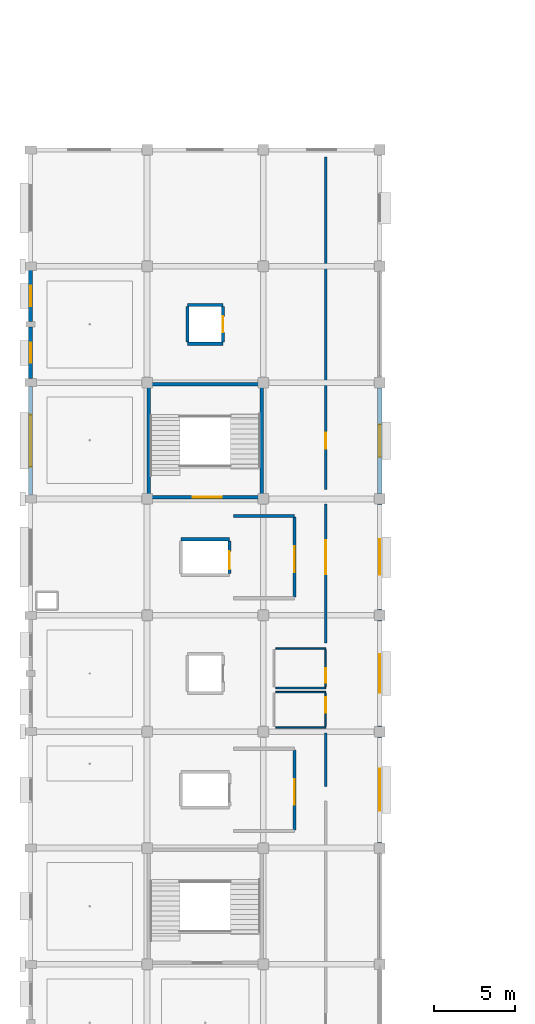
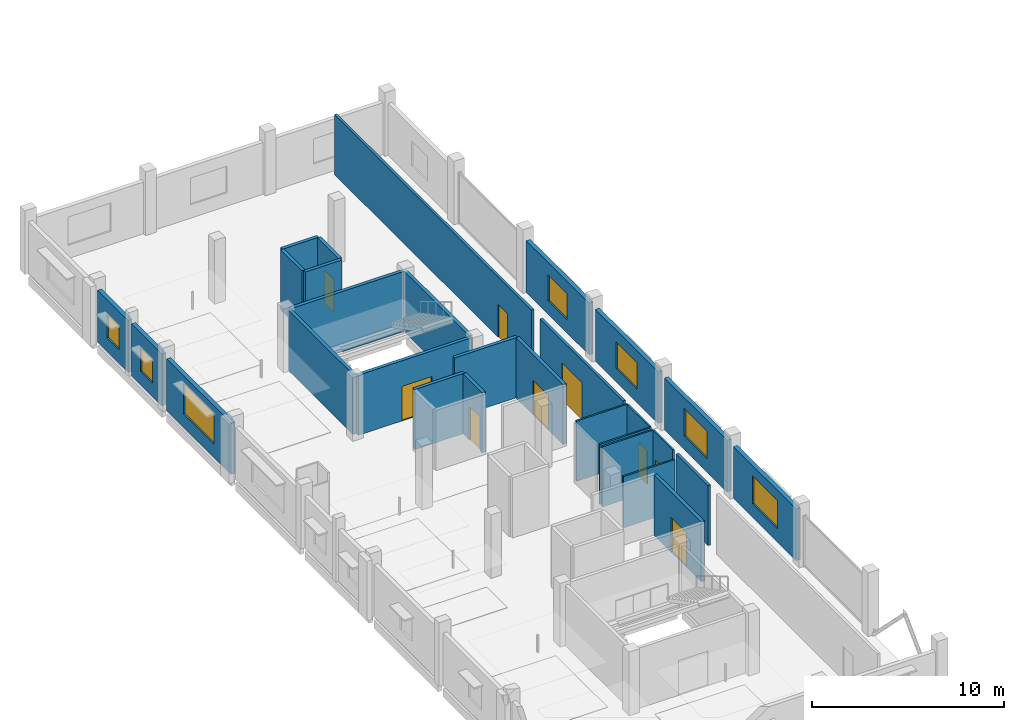
# One storey, part 40 of 59: 29 walls, 9 doors, 7 windows, 16 openings.
"""IFC4 building model written with IfcOpenShell, lengths in metres."""

from ifc_helpers import new_model, si_unit, direction, frame, frame_2d, origin, place, context, subcontext, project, spatial, rectangle, extrude, material, layer, layer_set, type_object, element, fill, save


model = new_model("IFC4")

# Units and contexts
model_context = context("Model", 3, precision=1e-05, world=origin(), true_north=direction((0.0, 1.0)))
body_context = subcontext(model_context, "Body", "Model", "MODEL_VIEW")
ifc_project = project(units=[si_unit("LENGTHUNIT", "METRE"), si_unit("AREAUNIT", "SQUARE_METRE"), si_unit("VOLUMEUNIT", "CUBIC_METRE"), si_unit("PLANEANGLEUNIT", "RADIAN"), si_unit("MASSUNIT", "GRAM", prefix="KILO")], contexts=[model_context])

# Site, building, storey
site_placement = place(None, origin())
site = spatial("IfcSite", under=ifc_project, at=site_placement, CompositionType="ELEMENT")
building_placement = place(site_placement, origin())
building = spatial("IfcBuilding", under=site, at=building_placement, Name="Kangsadwip Square Police Headquarters", CompositionType="ELEMENT")
storey_placement = place(building_placement, frame((0.0, 0.0, 21.60009765625)))
storey = spatial("IfcBuildingStorey", under=building, at=storey_placement, Name="L05", CompositionType="ELEMENT", Elevation=21.60009765625)

# Wall, opening, door
ifc_material_1 = material(Name="Autoclaved aerated concrete blockwork masonry", Category="masonry")
ifc_layer_1 = layer(ifc_material_1, 0.14990234375)
ifc_layer_set_1 = layer_set([ifc_layer_1], Name="Autoclaved aerated concrete blockwork masonry")
wall_type_1 = type_object("IfcWallType", Name="BlockPartition150", PredefinedType="PARTITIONING", material=ifc_layer_set_1)
wall_1_placement = place(storey_placement, frame((18.25, 63.080078125, 0.0), z_axis=(0.0, 0.0, 1.0), x_axis=(0.0, 1.0, 0.0)))
wall_1 = element("IfcWall", 1, at=wall_1_placement, inside=storey, type_object=wall_type_1, Name="Interior Wall WI-L05-0893", PredefinedType="PARTITIONING", context=body_context, shape_type="SweptSolid", body=[
    extrude(rectangle(XDim=8.619873046875, YDim=0.14990234375, at=frame_2d((4.31005859375, 0.0))), origin(), (0.0, 0.0, 1.0), 3.829833984375),
])
opening_1_placement = place(wall_1_placement, frame((4.262939453125, 0.0, 0.0)))
opening_1 = element("IfcOpeningElement", 2, at=opening_1_placement, cuts=wall_1, Name="Opening ID-21", PredefinedType="OPENING", context=body_context, shape_type="SweptSolid", body=[
    extrude(rectangle(XDim=2.10009765625, YDim=2.39990234375, at=frame_2d((1.050048828125, 1.199951171875))), frame((0.0, 0.0849609375, 0.0), z_axis=(0.0, -1.0, 0.0), x_axis=(1.0, 0.0, 0.0)), (0.0, 0.0, 1.0), 0.169921875),
])
ifc_material_2 = material(Name="Solid-core seasoned teak hardwood architectural door", Category="wood")
door_type_1 = type_object("IfcDoorType", Name="HallDoubleDoor2100x2400", OperationType="DOUBLE_DOOR_SINGLE_SWING", PredefinedType="DOOR", material=ifc_material_2)
door_1_placement = place(opening_1_placement, origin())
door_1 = element("IfcDoor", 3, at=door_1_placement, inside=storey, type_object=door_type_1, Name="Interior Door ID-L05-0247", OperationType="DOUBLE_DOOR_SINGLE_SWING", OverallHeight=2.39990234375, OverallWidth=2.10009765625, PredefinedType="DOOR", context=body_context, shape_type="SweptSolid", body=[
    extrude(rectangle(XDim=2.10009765625, YDim=2.39990234375, at=frame_2d((1.050048828125, 1.199951171875))), frame((0.0, 0.02490234375, 0.0), z_axis=(0.0, -1.0, 0.0), x_axis=(1.0, 0.0, 0.0)), (0.0, 0.0, 1.0), 0.050048828125),
])
fill(opening_1, door_1)

# Wall
wall_2_placement = place(storey_placement, frame((18.25, 54.199951171875, 0.0), z_axis=(0.0, 0.0, 1.0), x_axis=(0.0, 1.0, 0.0)))
element("IfcWall", 4, at=wall_2_placement, inside=storey, type_object=wall_type_1, Name="Interior Wall WI-L05-0894", PredefinedType="PARTITIONING", context=body_context, shape_type="SweptSolid", body=[
    extrude(rectangle(XDim=3.320068359375, YDim=0.14990234375, at=frame_2d((1.66015625, 0.0))), origin(), (0.0, 0.0, 1.0), 3.829833984375),
])

# Wall, opening, door
wall_3_placement = place(storey_placement, frame((18.25, 72.60009765625, 0.0), z_axis=(0.0, 0.0, 1.0), x_axis=(0.0, 1.0, 0.0)))
wall_3 = element("IfcWall", 5, at=wall_3_placement, inside=storey, type_object=wall_type_1, Name="Interior Wall WI-L05-0895", PredefinedType="PARTITIONING", context=body_context, shape_type="SweptSolid", body=[
    extrude(rectangle(XDim=20.5498046875, YDim=0.14990234375, at=frame_2d((10.27490234375, 0.0))), origin(), (0.0, 0.0, 1.0), 3.829833984375),
])
opening_2_placement = place(wall_3_placement, frame((2.508056640625, 0.0, 0.0)))
opening_2 = element("IfcOpeningElement", 6, at=opening_2_placement, cuts=wall_3, Name="Opening ID-09A", PredefinedType="OPENING", context=body_context, shape_type="SweptSolid", body=[
    extrude(rectangle(XDim=0.97998046875, YDim=2.10009765625, at=frame_2d((0.489990234375, 1.050048828125))), frame((0.0, 0.0849609375, 0.0), z_axis=(0.0, -1.0, 0.0), x_axis=(1.0, 0.0, 0.0)), (0.0, 0.0, 1.0), 0.169921875),
])
ifc_material_3 = material(Name="Solid-core seasoned teak hardwood architectural door", Category="wood")
door_type_2 = type_object("IfcDoorType", Name="OfficeDoor980x2100", OperationType="NOTDEFINED", PredefinedType="DOOR", material=ifc_material_3)
door_2_placement = place(opening_2_placement, origin())
door_2 = element("IfcDoor", 7, at=door_2_placement, inside=storey, type_object=door_type_2, Name="Interior Door ID-L05-0248", OperationType="SINGLE_SWING_RIGHT", OverallHeight=2.10009765625, OverallWidth=0.97998046875, PredefinedType="DOOR", context=body_context, shape_type="SweptSolid", body=[
    extrude(rectangle(XDim=0.97998046875, YDim=2.10009765625, at=frame_2d((0.489990234375, 1.050048828125))), frame((0.0, 0.02490234375, 0.0), z_axis=(0.0, -1.0, 0.0), x_axis=(1.0, 0.0, 0.0)), (0.0, 0.0, 1.0), 0.050048828125),
])
fill(opening_2, door_2)

# Wall, opening, window
ifc_material_4 = material(Name="Glazed architectural terracotta masonry rainscreen", Category="masonry")
ifc_layer_2 = layer(ifc_material_4, 0.25)
ifc_layer_set_2 = layer_set([ifc_layer_2], Name="Glazed architectural terracotta masonry rainscreen")
wall_type_2 = type_object("IfcWallType", Name="ChicagoTerracottaWall250", PredefinedType="SOLIDWALL", material=ifc_layer_set_2)
wall_4_placement = place(storey_placement, frame((0.0, 72.2451171875, 0.0), z_axis=(0.0, 0.0, 1.0), x_axis=(0.0, 1.0, 0.0)))
wall_4 = element("IfcWall", 8, at=wall_4_placement, inside=storey, type_object=wall_type_2, Name="Exterior Wall WE-L05-498", PredefinedType="SOLIDWALL", context=body_context, shape_type="SweptSolid", body=[
    extrude(rectangle(XDim=6.7099609375, YDim=0.25, at=frame_2d((3.35498046875, 0.0))), origin(), (0.0, 0.0, 1.0), 3.294921875),
])
opening_3_placement = place(wall_4_placement, frame((1.7548828125, 0.0, 0.85009765625)))
opening_3 = element("IfcOpeningElement", 9, at=opening_3_placement, cuts=wall_4, Name="Opening WN-03", PredefinedType="OPENING", context=body_context, shape_type="SweptSolid", body=[
    extrude(rectangle(XDim=3.199951171875, YDim=1.949951171875, at=frame_2d((1.60009765625, 0.97509765625))), frame((0.0, 0.135009765625, 0.0), z_axis=(0.0, -1.0, 0.0), x_axis=(1.0, 0.0, 0.0)), (0.0, 0.0, 1.0), 0.27001953125),
])
ifc_material_5 = material(Name="Double-glazed solar-control low-E safety glass", Category="glass")
window_type_1 = type_object("IfcWindowType", Name="ChicagoTripartiteWin3200x1950", PartitioningType="TRIPLE_PANEL_HORIZONTAL", PredefinedType="WINDOW", material=ifc_material_5)
window_1_placement = place(opening_3_placement, origin())
window_1 = element("IfcWindow", 10, at=window_1_placement, inside=storey, type_object=window_type_1, Name="Window WN-L05-0348", OverallHeight=1.949951171875, OverallWidth=3.199951171875, PartitioningType="SINGLE_PANEL", PredefinedType="WINDOW", context=body_context, shape_type="SweptSolid", body=[
    extrude(rectangle(XDim=3.199951171875, YDim=1.949951171875, at=frame_2d((1.60009765625, 0.97509765625))), frame((0.0, 0.030029296875, 0.0), z_axis=(0.0, -1.0, 0.0), x_axis=(1.0, 0.0, 0.0)), (0.0, 0.0, 1.0), 0.06005859375),
])
fill(opening_3, window_1)

wall_5_placement = place(storey_placement, frame((0.0, 79.445068359375, 0.0), z_axis=(0.0, 0.0, 1.0), x_axis=(0.0, 1.0, 0.0)))
wall_5 = element("IfcWall", 11, at=wall_5_placement, inside=storey, type_object=wall_type_2, Name="Exterior Wall WE-L05-499", PredefinedType="SOLIDWALL", context=body_context, shape_type="SweptSolid", body=[
    extrude(rectangle(XDim=3.184814453125, YDim=0.25, at=frame_2d((1.59228515625, 0.0))), origin(), (0.0, 0.0, 1.0), 3.294921875),
])
opening_4_placement = place(wall_5_placement, frame((0.967529296875, 0.0, 0.85009765625)))
opening_4 = element("IfcOpeningElement", 12, at=opening_4_placement, cuts=wall_5, Name="Opening WN-14", PredefinedType="OPENING", context=body_context, shape_type="SweptSolid", body=[
    extrude(rectangle(XDim=1.25, YDim=1.5, at=frame_2d((0.625, 0.75))), frame((0.0, 0.135009765625, 0.0), z_axis=(0.0, -1.0, 0.0), x_axis=(1.0, 0.0, 0.0)), (0.0, 0.0, 1.0), 0.27001953125),
])
ifc_material_6 = material(Name="Double-glazed solar-control low-E safety glass", Category="glass")
window_type_2 = type_object("IfcWindowType", Name="OfficeCasementWin1250x1500", PartitioningType="SINGLE_PANEL", PredefinedType="WINDOW", material=ifc_material_6)
window_2_placement = place(opening_4_placement, origin())
window_2 = element("IfcWindow", 13, at=window_2_placement, inside=storey, type_object=window_type_2, Name="Window WN-L05-0349", OverallHeight=1.5, OverallWidth=1.25, PartitioningType="SINGLE_PANEL", PredefinedType="WINDOW", context=body_context, shape_type="SweptSolid", body=[
    extrude(rectangle(XDim=1.25, YDim=1.5, at=frame_2d((0.625, 0.75))), frame((0.0, 0.030029296875, 0.0), z_axis=(0.0, -1.0, 0.0), x_axis=(1.0, 0.0, 0.0)), (0.0, 0.0, 1.0), 0.06005859375),
])
fill(opening_4, window_2)

wall_6_placement = place(storey_placement, frame((0.0, 82.969970703125, 0.0), z_axis=(0.0, 0.0, 1.0), x_axis=(0.0, 1.0, 0.0)))
wall_6 = element("IfcWall", 14, at=wall_6_placement, inside=storey, type_object=wall_type_2, Name="Exterior Wall WE-L05-500", PredefinedType="SOLIDWALL", context=body_context, shape_type="SweptSolid", body=[
    extrude(rectangle(XDim=3.18505859375, YDim=0.25, at=frame_2d((1.592529296875, 0.0))), origin(), (0.0, 0.0, 1.0), 3.294921875),
])
opening_5_placement = place(wall_6_placement, frame((0.967529296875, 0.0, 0.85009765625)))
opening_5 = element("IfcOpeningElement", 15, at=opening_5_placement, cuts=wall_6, Name="Opening WN-14", PredefinedType="OPENING", context=body_context, shape_type="SweptSolid", body=[
    extrude(rectangle(XDim=1.25, YDim=1.5, at=frame_2d((0.625, 0.75))), frame((0.0, 0.135009765625, 0.0), z_axis=(0.0, -1.0, 0.0), x_axis=(1.0, 0.0, 0.0)), (0.0, 0.0, 1.0), 0.27001953125),
])
window_3_placement = place(opening_5_placement, origin())
window_3 = element("IfcWindow", 16, at=window_3_placement, inside=storey, type_object=window_type_2, Name="Window WN-L05-0350", OverallHeight=1.5, OverallWidth=1.25, PartitioningType="SINGLE_PANEL", PredefinedType="WINDOW", context=body_context, shape_type="SweptSolid", body=[
    extrude(rectangle(XDim=1.25, YDim=1.5, at=frame_2d((0.625, 0.75))), frame((0.0, 0.030029296875, 0.0), z_axis=(0.0, -1.0, 0.0), x_axis=(1.0, 0.0, 0.0)), (0.0, 0.0, 1.0), 0.06005859375),
])
fill(opening_5, window_3)

wall_7_placement = place(storey_placement, frame((21.60009765625, 50.719970703125, 0.0), z_axis=(0.0, 0.0, 1.0), x_axis=(0.0, 1.0, 0.0)))
wall_7 = element("IfcWall", 17, at=wall_7_placement, inside=storey, type_object=wall_type_2, Name="Exterior Wall WE-L05-502", PredefinedType="SOLIDWALL", context=body_context, shape_type="SweptSolid", body=[
    extrude(rectangle(XDim=6.56005859375, YDim=0.25, at=frame_2d((3.280029296875, 0.0))), origin(), (0.0, 0.0, 1.0), 3.294921875),
])
opening_6_placement = place(wall_7_placement, frame((1.97998046875, 0.0, 0.85009765625)))
opening_6 = element("IfcOpeningElement", 18, at=opening_6_placement, cuts=wall_7, Name="Opening WN-06", PredefinedType="OPENING", context=body_context, shape_type="SweptSolid", body=[
    extrude(rectangle(XDim=2.60009765625, YDim=1.800048828125, at=frame_2d((1.300048828125, 0.89990234375))), frame((0.0, 0.135009765625, 0.0), z_axis=(0.0, -1.0, 0.0), x_axis=(1.0, 0.0, 0.0)), (0.0, 0.0, 1.0), 0.27001953125),
])
ifc_material_7 = material(Name="Double-glazed solar-control low-E safety glass", Category="glass")
window_type_3 = type_object("IfcWindowType", Name="ChicagoDoubleMullWin2600x1800", PartitioningType="DOUBLE_PANEL_VERTICAL", PredefinedType="WINDOW", material=ifc_material_7)
window_4_placement = place(opening_6_placement, origin())
window_4 = element("IfcWindow", 19, at=window_4_placement, inside=storey, type_object=window_type_3, Name="Window WN-L05-0352", OverallHeight=1.800048828125, OverallWidth=2.60009765625, PartitioningType="SINGLE_PANEL", PredefinedType="WINDOW", context=body_context, shape_type="SweptSolid", body=[
    extrude(rectangle(XDim=2.60009765625, YDim=1.800048828125, at=frame_2d((1.300048828125, 0.89990234375))), frame((0.0, 0.030029296875, 0.0), z_axis=(0.0, -1.0, 0.0), x_axis=(1.0, 0.0, 0.0)), (0.0, 0.0, 1.0), 0.06005859375),
])
fill(opening_6, window_4)

wall_8_placement = place(storey_placement, frame((21.60009765625, 57.919921875, 0.0), z_axis=(0.0, 0.0, 1.0), x_axis=(0.0, 1.0, 0.0)))
wall_8 = element("IfcWall", 20, at=wall_8_placement, inside=storey, type_object=wall_type_2, Name="Exterior Wall WE-L05-503", PredefinedType="SOLIDWALL", context=body_context, shape_type="SweptSolid", body=[
    extrude(rectangle(XDim=6.56005859375, YDim=0.25, at=frame_2d((3.280029296875, 0.0))), origin(), (0.0, 0.0, 1.0), 3.294921875),
])
opening_7_placement = place(wall_8_placement, frame((2.080078125, 0.0, 0.85009765625)))
opening_7 = element("IfcOpeningElement", 21, at=opening_7_placement, cuts=wall_8, Name="Opening WN-07", PredefinedType="OPENING", context=body_context, shape_type="SweptSolid", body=[
    extrude(rectangle(XDim=2.39990234375, YDim=1.75, at=frame_2d((1.199951171875, 0.875))), frame((0.0, 0.135009765625, 0.0), z_axis=(0.0, -1.0, 0.0), x_axis=(1.0, 0.0, 0.0)), (0.0, 0.0, 1.0), 0.27001953125),
])
ifc_material_8 = material(Name="Double-glazed solar-control low-E safety glass", Category="glass")
window_type_4 = type_object("IfcWindowType", Name="ChicagoDoubleMullWin2400x1750", PartitioningType="DOUBLE_PANEL_VERTICAL", PredefinedType="WINDOW", material=ifc_material_8)
window_5_placement = place(opening_7_placement, origin())
window_5 = element("IfcWindow", 22, at=window_5_placement, inside=storey, type_object=window_type_4, Name="Window WN-L05-0353", OverallHeight=1.75, OverallWidth=2.39990234375, PartitioningType="SINGLE_PANEL", PredefinedType="WINDOW", context=body_context, shape_type="SweptSolid", body=[
    extrude(rectangle(XDim=2.39990234375, YDim=1.75, at=frame_2d((1.199951171875, 0.875))), frame((0.0, 0.030029296875, 0.0), z_axis=(0.0, -1.0, 0.0), x_axis=(1.0, 0.0, 0.0)), (0.0, 0.0, 1.0), 0.06005859375),
])
fill(opening_7, window_5)

wall_9_placement = place(storey_placement, frame((21.60009765625, 65.1201171875, 0.0), z_axis=(0.0, 0.0, 1.0), x_axis=(0.0, 1.0, 0.0)))
wall_9 = element("IfcWall", 23, at=wall_9_placement, inside=storey, type_object=wall_type_2, Name="Exterior Wall WE-L05-504", PredefinedType="SOLIDWALL", context=body_context, shape_type="SweptSolid", body=[
    extrude(rectangle(XDim=6.559814453125, YDim=0.25, at=frame_2d((3.27978515625, 0.0))), origin(), (0.0, 0.0, 1.0), 3.294921875),
])
opening_8_placement = place(wall_9_placement, frame((2.179931640625, 0.0, 0.85009765625)))
opening_8 = element("IfcOpeningElement", 24, at=opening_8_placement, cuts=wall_9, Name="Opening WN-08", PredefinedType="OPENING", context=body_context, shape_type="SweptSolid", body=[
    extrude(rectangle(XDim=2.199951171875, YDim=1.699951171875, at=frame_2d((1.10009765625, 0.85009765625))), frame((0.0, 0.135009765625, 0.0), z_axis=(0.0, -1.0, 0.0), x_axis=(1.0, 0.0, 0.0)), (0.0, 0.0, 1.0), 0.27001953125),
])
ifc_material_9 = material(Name="Double-glazed solar-control low-E safety glass", Category="glass")
window_type_5 = type_object("IfcWindowType", Name="ChicagoDoubleMullWin2200x1700", PartitioningType="DOUBLE_PANEL_VERTICAL", PredefinedType="WINDOW", material=ifc_material_9)
window_6_placement = place(opening_8_placement, origin())
window_6 = element("IfcWindow", 25, at=window_6_placement, inside=storey, type_object=window_type_5, Name="Window WN-L05-0354", OverallHeight=1.699951171875, OverallWidth=2.199951171875, PartitioningType="SINGLE_PANEL", PredefinedType="WINDOW", context=body_context, shape_type="SweptSolid", body=[
    extrude(rectangle(XDim=2.199951171875, YDim=1.699951171875, at=frame_2d((1.10009765625, 0.85009765625))), frame((0.0, 0.030029296875, 0.0), z_axis=(0.0, -1.0, 0.0), x_axis=(1.0, 0.0, 0.0)), (0.0, 0.0, 1.0), 0.06005859375),
])
fill(opening_8, window_6)

wall_10_placement = place(storey_placement, frame((21.60009765625, 72.320068359375, 0.0), z_axis=(0.0, 0.0, 1.0), x_axis=(0.0, 1.0, 0.0)))
wall_10 = element("IfcWall", 26, at=wall_10_placement, inside=storey, type_object=wall_type_2, Name="Exterior Wall WE-L05-505", PredefinedType="SOLIDWALL", context=body_context, shape_type="SweptSolid", body=[
    extrude(rectangle(XDim=6.559814453125, YDim=0.25, at=frame_2d((3.27978515625, 0.0))), origin(), (0.0, 0.0, 1.0), 3.294921875),
])
opening_9_placement = place(wall_10_placement, frame((2.280029296875, 0.0, 0.85009765625)))
opening_9 = element("IfcOpeningElement", 27, at=opening_9_placement, cuts=wall_10, Name="Opening WN-09", PredefinedType="OPENING", context=body_context, shape_type="SweptSolid", body=[
    extrude(rectangle(XDim=2.0, YDim=1.64990234375, at=frame_2d((1.0, 0.824951171875))), frame((0.0, 0.135009765625, 0.0), z_axis=(0.0, -1.0, 0.0), x_axis=(1.0, 0.0, 0.0)), (0.0, 0.0, 1.0), 0.27001953125),
])
ifc_material_10 = material(Name="Double-glazed solar-control low-E safety glass", Category="glass")
window_type_6 = type_object("IfcWindowType", Name="ChicagoDoubleMullWin2000x1650", PartitioningType="DOUBLE_PANEL_VERTICAL", PredefinedType="WINDOW", material=ifc_material_10)
window_7_placement = place(opening_9_placement, origin())
window_7 = element("IfcWindow", 28, at=window_7_placement, inside=storey, type_object=window_type_6, Name="Window WN-L05-0355", OverallHeight=1.64990234375, OverallWidth=2.0, PartitioningType="SINGLE_PANEL", PredefinedType="WINDOW", context=body_context, shape_type="SweptSolid", body=[
    extrude(rectangle(XDim=2.0, YDim=1.64990234375, at=frame_2d((1.0, 0.824951171875))), frame((0.0, 0.030029296875, 0.0), z_axis=(0.0, -1.0, 0.0), x_axis=(1.0, 0.0, 0.0)), (0.0, 0.0, 1.0), 0.06005859375),
])
fill(opening_9, window_7)

# Wall, opening, door
ifc_material_11 = material(Name="Concrete M40 (40 MPa)", Category="concrete")
ifc_layer_3 = layer(ifc_material_11, 0.199951171875)
ifc_layer_set_3 = layer_set([ifc_layer_3], Name="Concrete M40 (40 MPa)")
wall_type_3 = type_object("IfcWallType", Name="CoreShearWall200", PredefinedType="SHEAR", material=ifc_layer_set_3)
wall_11_placement = place(storey_placement, frame((7.39990234375, 72.10009765625, 0.0), z_axis=(0.0, 0.0, 1.0), x_axis=(1.0, 0.0, 0.0)))
wall_11 = element("IfcWall", 29, at=wall_11_placement, inside=storey, type_object=wall_type_3, Name="Interior Wall WI-L05-0073", PredefinedType="SHEAR", context=body_context, shape_type="SweptSolid", body=[
    extrude(rectangle(XDim=6.800048828125, YDim=0.199951171875, at=frame_2d((3.39990234375, 0.0))), origin(), (0.0, 0.0, 1.0), 3.829833984375),
])
opening_10_placement = place(wall_11_placement, frame((2.632080078125, 0.0, 0.0)))
opening_10 = element("IfcOpeningElement", 30, at=opening_10_placement, cuts=wall_11, Name="Opening FD-18", PredefinedType="OPENING", context=body_context, shape_type="SweptSolid", body=[
    extrude(rectangle(XDim=1.800048828125, YDim=2.199951171875, at=frame_2d((0.89990234375, 1.10009765625))), frame((0.0, 0.10986328125, 0.0), z_axis=(0.0, -1.0, 0.0), x_axis=(1.0, 0.0, 0.0)), (0.0, 0.0, 1.0), 0.219970703125),
])
ifc_material_12 = material(Name="Insulated galvanized steel fire-rated door assembly", Category="steel")
door_type_3 = type_object("IfcDoorType", Name="StairFireDoor1800x2200", OperationType="DOUBLE_DOOR_SINGLE_SWING", PredefinedType="DOOR", material=ifc_material_12)
door_3_placement = place(opening_10_placement, origin())
door_3 = element("IfcDoor", 31, at=door_3_placement, inside=storey, type_object=door_type_3, Name="Interior Door ID-L05-0016", OperationType="DOUBLE_DOOR_SINGLE_SWING", OverallHeight=2.199951171875, OverallWidth=1.800048828125, PredefinedType="DOOR", context=body_context, shape_type="SweptSolid", body=[
    extrude(rectangle(XDim=1.800048828125, YDim=2.199951171875, at=frame_2d((0.89990234375, 1.10009765625))), frame((0.0, 0.02490234375, 0.0), z_axis=(0.0, -1.0, 0.0), x_axis=(1.0, 0.0, 0.0)), (0.0, 0.0, 1.0), 0.050048828125),
])
fill(opening_10, door_3)

# Walls
for number, where, z_axis, x_axis, name in (
    (32, (7.39990234375, 79.10009765625, 0.0), (0.0, 0.0, 1.0), (1.0, 0.0, 0.0), "Interior Wall WI-L05-0074"),
    (33, (7.300048828125, 72.199951171875, 0.0), (0.0, 0.0, 1.0), (0.0, 1.0, 0.0), "Interior Wall WI-L05-0075"),
    (34, (14.300048828125, 72.199951171875, 0.0), (0.0, 0.0, 1.0), (0.0, 1.0, 0.0), "Interior Wall WI-L05-0076"),
):
    element("IfcWall", number, at=place(storey_placement, frame(where, z_axis=z_axis, x_axis=x_axis)), inside=storey, type_object=wall_type_3, Name=name, PredefinedType="SHEAR", context=body_context, shape_type="SweptSolid", body=[
        extrude(rectangle(XDim=6.800048828125, YDim=0.199951171875, at=frame_2d((3.39990234375, 0.0))), origin(), (0.0, 0.0, 1.0), 3.829833984375),
    ])
wall_12_placement = place(storey_placement, frame((9.300048828125, 69.5, 0.0), z_axis=(0.0, 0.0, 1.0), x_axis=(1.0, 0.0, 0.0)))
element("IfcWall", 35, at=wall_12_placement, inside=storey, type_object=wall_type_3, Name="Interior Wall WI-L05-0296", PredefinedType="SHEAR", context=body_context, shape_type="SweptSolid", body=[
    extrude(rectangle(XDim=3.0, YDim=0.199951171875, at=frame_2d((1.5, 0.0))), origin(), (0.0, 0.0, 1.0), 3.829833984375),
])

# Wall, opening, door
wall_13_placement = place(storey_placement, frame((12.300048828125, 67.39990234375, 0.0), z_axis=(0.0, 0.0, 1.0), x_axis=(0.0, 1.0, 0.0)))
wall_13 = element("IfcWall", 36, at=wall_13_placement, inside=storey, type_object=wall_type_3, Name="Interior Wall WI-L05-0298", PredefinedType="SHEAR", context=body_context, shape_type="SweptSolid", body=[
    extrude(rectangle(XDim=2.0, YDim=0.199951171875, at=frame_2d((1.0, 0.0))), origin(), (0.0, 0.0, 1.0), 3.829833984375),
])
opening_11_placement = place(wall_13_placement, frame((0.25, 0.0, 0.0)))
opening_11 = element("IfcOpeningElement", 37, at=opening_11_placement, cuts=wall_13, Name="Opening LD-016", PredefinedType="OPENING", context=body_context, shape_type="SweptSolid", body=[
    extrude(rectangle(XDim=1.10009765625, YDim=2.14990234375, at=frame_2d((0.550048828125, 1.074951171875))), frame((0.0, 0.10986328125, 0.0), z_axis=(0.0, -1.0, 0.0), x_axis=(1.0, 0.0, 0.0)), (0.0, 0.0, 1.0), 0.219970703125),
])
ifc_material_13 = material(Name="Brushed stainless steel automatic sliding lift landing door", Category="steel")
door_type_4 = type_object("IfcDoorType", Name="LiftLandingDoor1100x2150", OperationType="DOUBLE_DOOR_SLIDING", PredefinedType="DOOR", material=ifc_material_13)
door_4_placement = place(opening_11_placement, origin())
door_4 = element("IfcDoor", 38, at=door_4_placement, inside=storey, type_object=door_type_4, Name="Interior Door LD-016", OperationType="DOUBLE_DOOR_SLIDING", OverallHeight=2.14990234375, OverallWidth=1.10009765625, PredefinedType="DOOR", context=body_context, shape_type="SweptSolid", body=[
    extrude(rectangle(XDim=1.10009765625, YDim=2.14990234375, at=frame_2d((0.550048828125, 1.074951171875))), frame((0.0, 0.02490234375, 0.0), z_axis=(0.0, -1.0, 0.0), x_axis=(1.0, 0.0, 0.0)), (0.0, 0.0, 1.0), 0.050048828125),
])
fill(opening_11, door_4)

# Walls
for number, where, z_axis, x_axis, name in (
    (39, (9.699951171875, 81.60009765625, 0.0), (0.0, 0.0, 1.0), (1.0, 0.0, 0.0), "Interior Wall WI-L05-0411"),
    (40, (9.699951171875, 84.0, 0.0), (0.0, 0.0, 1.0), (1.0, 0.0, 0.0), "Interior Wall WI-L05-0412"),
    (41, (9.699951171875, 81.699951171875, 0.0), (0.0, 0.0, 1.0), (0.0, 1.0, 0.0), "Interior Wall WI-L05-0413"),
):
    element("IfcWall", number, at=place(storey_placement, frame(where, z_axis=z_axis, x_axis=x_axis)), inside=storey, type_object=wall_type_3, Name=name, PredefinedType="SHEAR", context=body_context, shape_type="SweptSolid", body=[
        extrude(rectangle(XDim=2.199951171875, YDim=0.199951171875, at=frame_2d((1.10009765625, 0.0))), origin(), (0.0, 0.0, 1.0), 3.829833984375),
    ])

# Wall, opening, door
wall_14_placement = place(storey_placement, frame((11.89990234375, 81.699951171875, 0.0), z_axis=(0.0, 0.0, 1.0), x_axis=(0.0, 1.0, 0.0)))
wall_14 = element("IfcWall", 42, at=wall_14_placement, inside=storey, type_object=wall_type_3, Name="Interior Wall WI-L05-0414", PredefinedType="SHEAR", context=body_context, shape_type="SweptSolid", body=[
    extrude(rectangle(XDim=2.199951171875, YDim=0.199951171875, at=frame_2d((1.10009765625, 0.0))), origin(), (0.0, 0.0, 1.0), 3.829833984375),
])
opening_12_placement = place(wall_14_placement, frame((0.60009765625, 0.0, 0.0)))
opening_12 = element("IfcOpeningElement", 43, at=opening_12_placement, cuts=wall_14, Name="Opening LD-042", PredefinedType="OPENING", context=body_context, shape_type="SweptSolid", body=[
    extrude(rectangle(XDim=1.0, YDim=2.10009765625, at=frame_2d((0.5, 1.050048828125))), frame((0.0, 0.10986328125, 0.0), z_axis=(0.0, -1.0, 0.0), x_axis=(1.0, 0.0, 0.0)), (0.0, 0.0, 1.0), 0.219970703125),
])
ifc_material_14 = material(Name="Brushed stainless steel automatic sliding lift landing door", Category="steel")
door_type_5 = type_object("IfcDoorType", Name="LiftLandingDoor1000x2100", OperationType="DOUBLE_DOOR_SLIDING", PredefinedType="DOOR", material=ifc_material_14)
door_5_placement = place(opening_12_placement, origin())
door_5 = element("IfcDoor", 44, at=door_5_placement, inside=storey, type_object=door_type_5, Name="Interior Door LD-042", OperationType="DOUBLE_DOOR_SLIDING", OverallHeight=2.10009765625, OverallWidth=1.0, PredefinedType="DOOR", context=body_context, shape_type="SweptSolid", body=[
    extrude(rectangle(XDim=1.0, YDim=2.10009765625, at=frame_2d((0.5, 1.050048828125))), frame((0.0, 0.02490234375, 0.0), z_axis=(0.0, -1.0, 0.0), x_axis=(1.0, 0.0, 0.0)), (0.0, 0.0, 1.0), 0.050048828125),
])
fill(opening_12, door_5)

ifc_material_15 = material(Name="Concrete M40 (40 MPa)", Category="concrete")
ifc_layer_4 = layer(ifc_material_15, 0.199951171875)
ifc_layer_set_4 = layer_set([ifc_layer_4], Name="Concrete M40 (40 MPa)")
wall_type_4 = type_object("IfcWallType", Name="CustodySecurityWall200", PredefinedType="SOLIDWALL", material=ifc_layer_set_4)
wall_15_placement = place(storey_placement, frame((16.320068359375, 51.530029296875, 0.0), z_axis=(0.0, 0.0, 1.0), x_axis=(0.0, 1.0, 0.0)))
wall_15 = element("IfcWall", 45, at=wall_15_placement, inside=storey, type_object=wall_type_4, Name="Interior Wall WI-L05-0870", PredefinedType="SOLIDWALL", context=body_context, shape_type="SweptSolid", body=[
    extrude(rectangle(XDim=4.93994140625, YDim=0.199951171875, at=frame_2d((2.469970703125, 0.0))), origin(), (0.0, 0.0, 1.0), 3.829833984375),
])
opening_13_placement = place(wall_15_placement, frame((1.541015625, 0.0, 0.0)))
opening_13 = element("IfcOpeningElement", 46, at=opening_13_placement, cuts=wall_15, Name="Opening FD-16", PredefinedType="OPENING", context=body_context, shape_type="SweptSolid", body=[
    extrude(rectangle(XDim=1.60009765625, YDim=2.199951171875, at=frame_2d((0.800048828125, 1.10009765625))), frame((0.0, 0.10986328125, 0.0), z_axis=(0.0, -1.0, 0.0), x_axis=(1.0, 0.0, 0.0)), (0.0, 0.0, 1.0), 0.219970703125),
])
ifc_material_16 = material(Name="Insulated galvanized steel fire-rated door assembly", Category="steel")
door_type_6 = type_object("IfcDoorType", Name="FfLobbyFireDoor1600x2200", OperationType="DOUBLE_DOOR_SINGLE_SWING", PredefinedType="DOOR", material=ifc_material_16)
door_6_placement = place(opening_13_placement, origin())
door_6 = element("IfcDoor", 47, at=door_6_placement, inside=storey, type_object=door_type_6, Name="Interior Door ID-L05-0239", OperationType="DOUBLE_DOOR_SINGLE_SWING", OverallHeight=2.199951171875, OverallWidth=1.60009765625, PredefinedType="DOOR", context=body_context, shape_type="SweptSolid", body=[
    extrude(rectangle(XDim=1.60009765625, YDim=2.199951171875, at=frame_2d((0.800048828125, 1.10009765625))), frame((0.0, 0.02490234375, 0.0), z_axis=(0.0, -1.0, 0.0), x_axis=(1.0, 0.0, 0.0)), (0.0, 0.0, 1.0), 0.050048828125),
])
fill(opening_13, door_6)

wall_16_placement = place(storey_placement, frame((16.320068359375, 65.929931640625, 0.0), z_axis=(0.0, 0.0, 1.0), x_axis=(0.0, 1.0, 0.0)))
wall_16 = element("IfcWall", 48, at=wall_16_placement, inside=storey, type_object=wall_type_4, Name="Interior Wall WI-L05-0873", PredefinedType="SOLIDWALL", context=body_context, shape_type="SweptSolid", body=[
    extrude(rectangle(XDim=4.940185546875, YDim=0.199951171875, at=frame_2d((2.47021484375, 0.0))), origin(), (0.0, 0.0, 1.0), 3.829833984375),
])
opening_14_placement = place(wall_16_placement, frame((1.541015625, 0.0, 0.0)))
opening_14 = element("IfcOpeningElement", 49, at=opening_14_placement, cuts=wall_16, Name="Opening FD-16", PredefinedType="OPENING", context=body_context, shape_type="SweptSolid", body=[
    extrude(rectangle(XDim=1.60009765625, YDim=2.199951171875, at=frame_2d((0.800048828125, 1.10009765625))), frame((0.0, 0.10986328125, 0.0), z_axis=(0.0, -1.0, 0.0), x_axis=(1.0, 0.0, 0.0)), (0.0, 0.0, 1.0), 0.219970703125),
])
door_7_placement = place(opening_14_placement, origin())
door_7 = element("IfcDoor", 50, at=door_7_placement, inside=storey, type_object=door_type_6, Name="Interior Door ID-L05-0240", OperationType="DOUBLE_DOOR_SINGLE_SWING", OverallHeight=2.199951171875, OverallWidth=1.60009765625, PredefinedType="DOOR", context=body_context, shape_type="SweptSolid", body=[
    extrude(rectangle(XDim=1.60009765625, YDim=2.199951171875, at=frame_2d((0.800048828125, 1.10009765625))), frame((0.0, 0.02490234375, 0.0), z_axis=(0.0, -1.0, 0.0), x_axis=(1.0, 0.0, 0.0)), (0.0, 0.0, 1.0), 0.050048828125),
])
fill(opening_14, door_7)

# Wall
wall_17_placement = place(storey_placement, frame((12.5400390625, 70.949951171875, 0.0), z_axis=(0.0, 0.0, 1.0), x_axis=(1.0, 0.0, 0.0)))
element("IfcWall", 51, at=wall_17_placement, inside=storey, type_object=wall_type_4, Name="Interior Wall WI-L05-0875", PredefinedType="SOLIDWALL", context=body_context, shape_type="SweptSolid", body=[
    extrude(rectangle(XDim=3.780029296875, YDim=0.199951171875, at=frame_2d((1.89013671875, 0.0))), origin(), (0.0, 0.0, 1.0), 3.829833984375),
])

# Wall, opening, door
ifc_material_17 = material(Name="Autoclaved aerated concrete blockwork masonry", Category="masonry")
ifc_layer_5 = layer(ifc_material_17, 0.10009765625)
ifc_layer_set_5 = layer_set([ifc_layer_5], Name="Autoclaved aerated concrete blockwork masonry")
wall_type_5 = type_object("IfcWallType", Name="WetWallPartition100", PredefinedType="PARTITIONING", material=ifc_layer_set_5)
wall_18_placement = place(storey_placement, frame((18.25, 57.929931640625, 0.0), z_axis=(0.0, 0.0, 1.0), x_axis=(0.0, 1.0, 0.0)))
wall_18 = element("IfcWall", 52, at=wall_18_placement, inside=storey, type_object=wall_type_5, Name="Interior Wall WI-L05-0879", PredefinedType="PARTITIONING", context=body_context, shape_type="SweptSolid", body=[
    extrude(rectangle(XDim=2.0400390625, YDim=0.10009765625, at=frame_2d((1.02001953125, 0.0))), origin(), (0.0, 0.0, 1.0), 3.829833984375),
])
opening_15_placement = place(wall_18_placement, frame((0.840087890625, 0.0, 0.0)))
opening_15 = element("IfcOpeningElement", 53, at=opening_15_placement, cuts=wall_18, Name="Opening WD-09A", PredefinedType="OPENING", context=body_context, shape_type="SweptSolid", body=[
    extrude(rectangle(XDim=0.949951171875, YDim=2.10009765625, at=frame_2d((0.47509765625, 1.050048828125))), frame((0.0, 0.06005859375, 0.0), z_axis=(0.0, -1.0, 0.0), x_axis=(1.0, 0.0, 0.0)), (0.0, 0.0, 1.0), 0.1201171875),
])
ifc_material_18 = material(Name="Solid-core seasoned teak hardwood architectural door", Category="wood")
door_type_7 = type_object("IfcDoorType", Name="AccessibleWcDoor950x2100", OperationType="NOTDEFINED", PredefinedType="DOOR", material=ifc_material_18)
door_8_placement = place(opening_15_placement, origin())
door_8 = element("IfcDoor", 54, at=door_8_placement, inside=storey, type_object=door_type_7, Name="Interior Door ID-L05-0242", OperationType="SINGLE_SWING_RIGHT", OverallHeight=2.10009765625, OverallWidth=0.949951171875, PredefinedType="DOOR", context=body_context, shape_type="SweptSolid", body=[
    extrude(rectangle(XDim=0.949951171875, YDim=2.10009765625, at=frame_2d((0.47509765625, 1.050048828125))), frame((0.0, 0.02490234375, 0.0), z_axis=(0.0, -1.0, 0.0), x_axis=(1.0, 0.0, 0.0)), (0.0, 0.0, 1.0), 0.050048828125),
])
fill(opening_15, door_8)

# Walls
wall_19_placement = place(storey_placement, frame((15.169921875, 57.85009765625, 0.0), z_axis=(0.0, 0.0, 1.0), x_axis=(1.0, 0.0, 0.0)))
element("IfcWall", 55, at=wall_19_placement, inside=storey, type_object=wall_type_5, Name="Interior Wall WI-L05-0880", PredefinedType="PARTITIONING", context=body_context, shape_type="SweptSolid", body=[
    extrude(rectangle(XDim=3.080078125, YDim=0.10009765625, at=frame_2d((1.5400390625, 0.0))), origin(), (0.0, 0.0, 1.0), 3.27001953125),
])
wall_20_placement = place(storey_placement, frame((15.169921875, 60.050048828125, 0.0), z_axis=(0.0, 0.0, 1.0), x_axis=(1.0, 0.0, 0.0)))
element("IfcWall", 56, at=wall_20_placement, inside=storey, type_object=wall_type_5, Name="Interior Wall WI-L05-0881", PredefinedType="PARTITIONING", context=body_context, shape_type="SweptSolid", body=[
    extrude(rectangle(XDim=3.080078125, YDim=0.10009765625, at=frame_2d((1.5400390625, 0.0))), origin(), (0.0, 0.0, 1.0), 3.829833984375),
])

# Wall, opening, door
wall_21_placement = place(storey_placement, frame((18.25, 60.3798828125, 0.0), z_axis=(0.0, 0.0, 1.0), x_axis=(0.0, 1.0, 0.0)))
wall_21 = element("IfcWall", 57, at=wall_21_placement, inside=storey, type_object=wall_type_5, Name="Interior Wall WI-L05-0883", PredefinedType="PARTITIONING", context=body_context, shape_type="SweptSolid", body=[
    extrude(rectangle(XDim=2.2900390625, YDim=0.10009765625, at=frame_2d((1.14501953125, 0.0))), origin(), (0.0, 0.0, 1.0), 3.829833984375),
])
opening_16_placement = place(wall_21_placement, frame((0.25, 0.0, 0.0)))
opening_16 = element("IfcOpeningElement", 58, at=opening_16_placement, cuts=wall_21, Name="Opening WD-09B", PredefinedType="OPENING", context=body_context, shape_type="SweptSolid", body=[
    extrude(rectangle(XDim=0.89990234375, YDim=2.10009765625, at=frame_2d((0.449951171875, 1.050048828125))), frame((0.0, 0.06005859375, 0.0), z_axis=(0.0, -1.0, 0.0), x_axis=(1.0, 0.0, 0.0)), (0.0, 0.0, 1.0), 0.1201171875),
])
ifc_material_19 = material(Name="Solid-core seasoned teak hardwood architectural door", Category="wood")
door_type_8 = type_object("IfcDoorType", Name="ToiletRoomDoor900x2100", OperationType="NOTDEFINED", PredefinedType="DOOR", material=ifc_material_19)
door_9_placement = place(opening_16_placement, origin())
door_9 = element("IfcDoor", 59, at=door_9_placement, inside=storey, type_object=door_type_8, Name="Interior Door ID-L05-0243", OperationType="SINGLE_SWING_LEFT", OverallHeight=2.10009765625, OverallWidth=0.89990234375, PredefinedType="DOOR", context=body_context, shape_type="SweptSolid", body=[
    extrude(rectangle(XDim=0.89990234375, YDim=2.10009765625, at=frame_2d((0.449951171875, 1.050048828125))), frame((0.0, 0.02490234375, 0.0), z_axis=(0.0, -1.0, 0.0), x_axis=(1.0, 0.0, 0.0)), (0.0, 0.0, 1.0), 0.050048828125),
])
fill(opening_16, door_9)

# Walls
for number, where, z_axis, x_axis, name in (
    (60, (15.169921875, 60.300048828125, 0.0), (0.0, 0.0, 1.0), (1.0, 0.0, 0.0), "Interior Wall WI-L05-0884"),
    (61, (15.169921875, 62.75, 0.0), (0.0, 0.0, 1.0), (1.0, 0.0, 0.0), "Interior Wall WI-L05-0885"),
):
    element("IfcWall", number, at=place(storey_placement, frame(where, z_axis=z_axis, x_axis=x_axis)), inside=storey, type_object=wall_type_5, Name=name, PredefinedType="PARTITIONING", context=body_context, shape_type="SweptSolid", body=[
        extrude(rectangle(XDim=3.080078125, YDim=0.10009765625, at=frame_2d((1.5400390625, 0.0))), origin(), (0.0, 0.0, 1.0), 3.829833984375),
    ])

save(model, "model.ifc")
